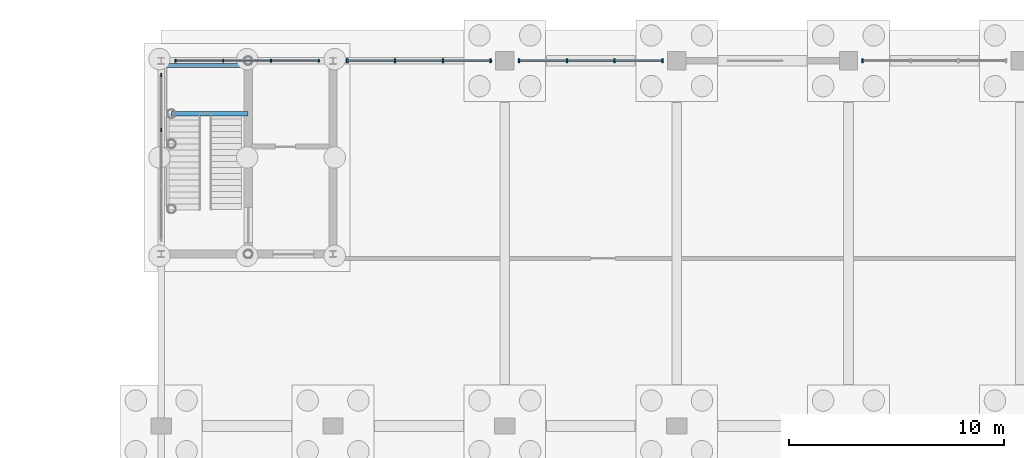
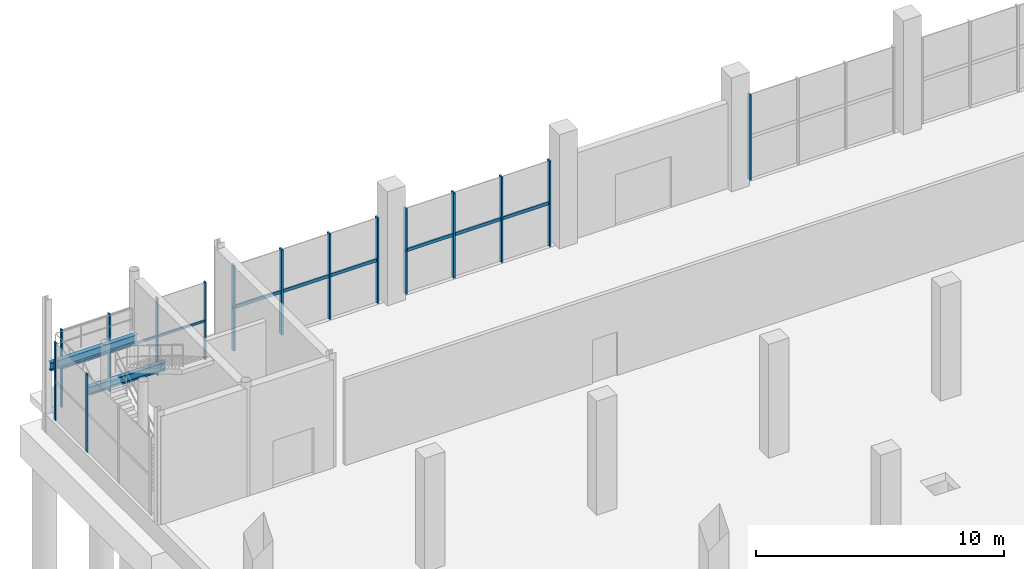
# One storey, part 58 of 98: 18 members, 2 beams, 5 elements without a shape of their own.
"""IFC4 building model written with IfcOpenShell, lengths in metres."""

from ifc_helpers import new_model, si_unit, derived_unit, direction, frame, origin, origin_2d, place, context, subcontext, project, spatial, rectangle, i_section, extrude, material, layer, layer_set, material_profile, profile_set, type_object, element, aggregate, save


model = new_model("IFC4")

# Units and contexts
model_context = context("Model", 3, precision=1e-05, world=origin(), true_north=direction((0.0, 1.0)))
body_context = subcontext(model_context, "Body", "Model", "MODEL_VIEW")
ifc_project = project(units=[si_unit("LENGTHUNIT", "METRE"), si_unit("AREAUNIT", "SQUARE_METRE"), si_unit("VOLUMEUNIT", "CUBIC_METRE"), si_unit("PLANEANGLEUNIT", "RADIAN"), si_unit("MASSUNIT", "GRAM", prefix="KILO"), si_unit("THERMODYNAMICTEMPERATUREUNIT", "KELVIN"), derived_unit("THERMALTRANSMITTANCEUNIT", [(si_unit("POWERUNIT", "WATT"), 1), (si_unit("AREAUNIT", "SQUARE_METRE"), -1), (si_unit("THERMODYNAMICTEMPERATUREUNIT", "KELVIN"), -1)])], contexts=[model_context])

# Site, building, storey
site_placement = place(None, origin())
site = spatial("IfcSite", under=ifc_project, at=site_placement, CompositionType="ELEMENT")
building_placement = place(site_placement, origin())
building = spatial("IfcBuilding", under=site, at=building_placement, Name="Haiyu Intermodal Mobility Hub", CompositionType="ELEMENT")
storey_placement = place(building_placement, origin())
storey = spatial("IfcBuildingStorey", under=building, at=storey_placement, Name="L00", CompositionType="ELEMENT", Elevation=0.0)

# Beams
ifc_material_1 = material(Name="Steel Q355C", Category="steel")
ifc_material_profile_1 = material_profile(ifc_material_1, i_section(OverallWidth=0.199951171875, OverallDepth=0.39990234375, WebThickness=0.008056640625, FlangeThickness=0.012939453125, FilletRadius=0.01611328125, at=origin_2d()), Name="HN400x200x8x13")
ifc_profile_set_1 = profile_set([ifc_material_profile_1], Name="Steel Q355C")
beam_type = type_object("IfcBeamType", Name="BM-SB08", PredefinedType="JOIST", material=ifc_profile_set_1)
beam_1_placement = place(storey_placement, frame((22.47998046875, 145.530029296875, 2.375), z_axis=(1.0, 0.0, 0.0), x_axis=(0.0, 1.0, 0.0)))
element("IfcBeam", 1, at=beam_1_placement, inside=storey, type_object=beam_type, Name="Stair Half-Landing Front Beam C3-L00", PredefinedType="JOIST", context=body_context, shape_type="SweptSolid", body=[
    extrude(i_section(OverallWidth=0.199951171875, OverallDepth=0.39990234375, WebThickness=0.008056640625, FlangeThickness=0.012939453125, FilletRadius=0.01611328125, at=origin_2d()), origin(), (0.0, 0.0, 1.0), 3.570068359375),
])
beam_2_placement = place(storey_placement, frame((22.0, 147.780029296875, 2.375), z_axis=(1.0, 0.0, 0.0), x_axis=(0.0, 1.0, 0.0)))
element("IfcBeam", 2, at=beam_2_placement, inside=storey, type_object=beam_type, Name="Stair Half-Landing Rear Beam C3-L00", PredefinedType="JOIST", context=body_context, shape_type="SweptSolid", body=[
    extrude(i_section(OverallWidth=0.199951171875, OverallDepth=0.39990234375, WebThickness=0.008056640625, FlangeThickness=0.012939453125, FilletRadius=0.01611328125, at=origin_2d()), origin(), (0.0, 0.0, 1.0), 4.050048828125),
])

# Curtain wall, members
ifc_material_2 = material(Name="Low-e laminated insulating glass", Category="glass")
ifc_layer_1 = layer(ifc_material_2, 0.219970703125)
ifc_layer_set_1 = layer_set([ifc_layer_1], Name="Low-e laminated insulating glass")
curtain_wall_type_1 = type_object("IfcCurtainWallType", Name="CW-CW01", PredefinedType="NOTDEFINED", material=ifc_layer_set_1)
curtain_wall_1_placement = place(storey_placement, origin())
curtain_wall_1 = element("IfcCurtainWall", 3, at=curtain_wall_1_placement, inside=storey, type_object=curtain_wall_type_1, Name="Curtain Wall CW-V4N-L00-038", PredefinedType="NOTDEFINED")
ifc_material_3 = material(Name="Anodised aluminium 6063-T6", Category="aluminium")
ifc_material_profile_2 = material_profile(ifc_material_3, rectangle(XDim=0.074951171875, YDim=0.199951171875, at=origin_2d()), Name="ALU75x200")
ifc_profile_set_2 = profile_set([ifc_material_profile_2], Name="Anodised aluminium 6063-T6")
member_type_1 = type_object("IfcMemberType", Name="CWM-ML01", PredefinedType="MULLION", material=ifc_profile_set_2)
member_1_placement = place(storey_placement, frame((37.340087890625, 148.0, 0.0), z_axis=(0.0, 0.0, 1.0), x_axis=(1.0, 0.0, 0.0)))
member_1 = element("IfcMember", 4, at=member_1_placement, type_object=member_type_1, Name="CW-V4N-L00-038-ML01", PredefinedType="MULLION", context=body_context, shape_type="SweptSolid", body=[
    extrude(rectangle(XDim=0.074951171875, YDim=0.199951171875, at=origin_2d()), origin(), (0.0, 0.0, 1.0), 4.199951171875),
])
member_2_placement = place(storey_placement, frame((35.113037109375, 148.0, 0.0), z_axis=(0.0, 0.0, 1.0), x_axis=(1.0, 0.0, 0.0)))
member_2 = element("IfcMember", 5, at=member_2_placement, type_object=member_type_1, Name="CW-V4N-L00-038-ML02", PredefinedType="MULLION", context=body_context, shape_type="SweptSolid", body=[
    extrude(rectangle(XDim=0.074951171875, YDim=0.199951171875, at=origin_2d()), origin(), (0.0, 0.0, 1.0), 4.199951171875),
])
member_3_placement = place(storey_placement, frame((32.886962890625, 148.0, 0.0), z_axis=(0.0, 0.0, 1.0), x_axis=(1.0, 0.0, 0.0)))
member_3 = element("IfcMember", 6, at=member_3_placement, type_object=member_type_1, Name="CW-V4N-L00-038-ML03", PredefinedType="MULLION", context=body_context, shape_type="SweptSolid", body=[
    extrude(rectangle(XDim=0.074951171875, YDim=0.199951171875, at=origin_2d()), origin(), (0.0, 0.0, 1.0), 4.199951171875),
])
member_4_placement = place(storey_placement, frame((30.659912109375, 148.0, 0.0), z_axis=(0.0, 0.0, 1.0), x_axis=(1.0, 0.0, 0.0)))
member_4 = element("IfcMember", 7, at=member_4_placement, type_object=member_type_1, Name="CW-V4N-L00-038-ML04", PredefinedType="MULLION", context=body_context, shape_type="SweptSolid", body=[
    extrude(rectangle(XDim=0.074951171875, YDim=0.199951171875, at=origin_2d()), origin(), (0.0, 0.0, 1.0), 4.199951171875),
])

curtain_wall_2_placement = place(storey_placement, origin())
curtain_wall_2 = element("IfcCurtainWall", 8, at=curtain_wall_2_placement, inside=storey, type_object=curtain_wall_type_1, Name="Curtain Wall CW-V4N-L00-039", PredefinedType="NOTDEFINED")
member_5_placement = place(storey_placement, frame((45.340087890625, 148.0, 0.0), z_axis=(0.0, 0.0, 1.0), x_axis=(1.0, 0.0, 0.0)))
member_5 = element("IfcMember", 9, at=member_5_placement, type_object=member_type_1, Name="CW-V4N-L00-039-ML01", PredefinedType="MULLION", context=body_context, shape_type="SweptSolid", body=[
    extrude(rectangle(XDim=0.074951171875, YDim=0.199951171875, at=origin_2d()), origin(), (0.0, 0.0, 1.0), 4.199951171875),
])
member_6_placement = place(storey_placement, frame((43.113037109375, 148.0, 0.0), z_axis=(0.0, 0.0, 1.0), x_axis=(1.0, 0.0, 0.0)))
member_6 = element("IfcMember", 10, at=member_6_placement, type_object=member_type_1, Name="CW-V4N-L00-039-ML02", PredefinedType="MULLION", context=body_context, shape_type="SweptSolid", body=[
    extrude(rectangle(XDim=0.074951171875, YDim=0.199951171875, at=origin_2d()), origin(), (0.0, 0.0, 1.0), 4.199951171875),
])
member_7_placement = place(storey_placement, frame((40.886962890625, 148.0, 0.0), z_axis=(0.0, 0.0, 1.0), x_axis=(1.0, 0.0, 0.0)))
member_7 = element("IfcMember", 11, at=member_7_placement, type_object=member_type_1, Name="CW-V4N-L00-039-ML03", PredefinedType="MULLION", context=body_context, shape_type="SweptSolid", body=[
    extrude(rectangle(XDim=0.074951171875, YDim=0.199951171875, at=origin_2d()), origin(), (0.0, 0.0, 1.0), 4.199951171875),
])
member_8_placement = place(storey_placement, frame((38.659912109375, 148.0, 0.0), z_axis=(0.0, 0.0, 1.0), x_axis=(1.0, 0.0, 0.0)))
member_8 = element("IfcMember", 12, at=member_8_placement, type_object=member_type_1, Name="CW-V4N-L00-039-ML04", PredefinedType="MULLION", context=body_context, shape_type="SweptSolid", body=[
    extrude(rectangle(XDim=0.074951171875, YDim=0.199951171875, at=origin_2d()), origin(), (0.0, 0.0, 1.0), 4.199951171875),
])

# Curtain wall, member
curtain_wall_3_placement = place(storey_placement, origin())
curtain_wall_3 = element("IfcCurtainWall", 13, at=curtain_wall_3_placement, inside=storey, type_object=curtain_wall_type_1, Name="Curtain Wall CW-V4N-L00-040", PredefinedType="NOTDEFINED")
member_9_placement = place(storey_placement, frame((54.659912109375, 148.0, 0.0), z_axis=(0.0, 0.0, 1.0), x_axis=(1.0, 0.0, 0.0)))
member_9 = element("IfcMember", 14, at=member_9_placement, type_object=member_type_1, Name="CW-V4N-L00-040-ML04", PredefinedType="MULLION", context=body_context, shape_type="SweptSolid", body=[
    extrude(rectangle(XDim=0.074951171875, YDim=0.199951171875, at=origin_2d()), origin(), (0.0, 0.0, 1.0), 4.199951171875),
])
aggregate(curtain_wall_3, [member_9])

# Curtain wall, members
ifc_layer_2 = layer(ifc_material_2, 0.199951171875)
ifc_layer_set_2 = layer_set([ifc_layer_2], Name="Low-e laminated insulating glass")
curtain_wall_type_2 = type_object("IfcCurtainWallType", Name="CW-CW03", PredefinedType="NOTDEFINED", material=ifc_layer_set_2)
curtain_wall_4_placement = place(storey_placement, origin())
curtain_wall_4 = element("IfcCurtainWall", 15, at=curtain_wall_4_placement, inside=storey, type_object=curtain_wall_type_2, Name="Curtain Wall CW-C3N-L00-049", PredefinedType="NOTDEFINED")
ifc_material_profile_3 = material_profile(ifc_material_3, rectangle(XDim=0.06005859375, YDim=0.14501953125, at=origin_2d()), Name="ALU60x145")
ifc_profile_set_3 = profile_set([ifc_material_profile_3], Name="Anodised aluminium 6063-T6")
member_type_2 = type_object("IfcMemberType", Name="CWM-ML03", PredefinedType="MULLION", material=ifc_profile_set_3)
member_10_placement = place(storey_placement, frame((29.340087890625, 148.0, 0.0), z_axis=(0.0, 0.0, 1.0), x_axis=(1.0, 0.0, 0.0)))
member_10 = element("IfcMember", 16, at=member_10_placement, type_object=member_type_2, Name="CW-C3N-L00-049-ML01", PredefinedType="MULLION", context=body_context, shape_type="SweptSolid", body=[
    extrude(rectangle(XDim=0.06005859375, YDim=0.14501953125, at=origin_2d()), origin(), (0.0, 0.0, 1.0), 3.820068359375),
])
member_11_placement = place(storey_placement, frame((27.113037109375, 148.0, 0.0), z_axis=(0.0, 0.0, 1.0), x_axis=(1.0, 0.0, 0.0)))
member_11 = element("IfcMember", 17, at=member_11_placement, type_object=member_type_2, Name="CW-C3N-L00-049-ML02", PredefinedType="MULLION", context=body_context, shape_type="SweptSolid", body=[
    extrude(rectangle(XDim=0.06005859375, YDim=0.14501953125, at=origin_2d()), origin(), (0.0, 0.0, 1.0), 3.820068359375),
])
member_12_placement = place(storey_placement, frame((24.886962890625, 148.0, 0.0), z_axis=(0.0, 0.0, 1.0), x_axis=(1.0, 0.0, 0.0)))
member_12 = element("IfcMember", 18, at=member_12_placement, type_object=member_type_2, Name="CW-C3N-L00-049-ML03", PredefinedType="MULLION", context=body_context, shape_type="SweptSolid", body=[
    extrude(rectangle(XDim=0.06005859375, YDim=0.14501953125, at=origin_2d()), origin(), (0.0, 0.0, 1.0), 3.820068359375),
])
member_13_placement = place(storey_placement, frame((22.659912109375, 148.0, 0.0), z_axis=(0.0, 0.0, 1.0), x_axis=(1.0, 0.0, 0.0)))
member_13 = element("IfcMember", 19, at=member_13_placement, type_object=member_type_2, Name="CW-C3N-L00-049-ML04", PredefinedType="MULLION", context=body_context, shape_type="SweptSolid", body=[
    extrude(rectangle(XDim=0.06005859375, YDim=0.14501953125, at=origin_2d()), origin(), (0.0, 0.0, 1.0), 3.820068359375),
])

curtain_wall_5_placement = place(storey_placement, origin())
curtain_wall_5 = element("IfcCurtainWall", 20, at=curtain_wall_5_placement, inside=storey, type_object=curtain_wall_type_2, Name="Curtain Wall CW-C3S-L00-050", PredefinedType="NOTDEFINED")
member_14_placement = place(storey_placement, frame((22.0, 147.340087890625, 0.0), z_axis=(0.0, 0.0, 1.0), x_axis=(1.0, 0.0, 0.0)))
member_14 = element("IfcMember", 21, at=member_14_placement, type_object=member_type_2, Name="CW-C3S-L00-050-ML01", PredefinedType="MULLION", context=body_context, shape_type="SweptSolid", body=[
    extrude(rectangle(XDim=0.06005859375, YDim=0.14501953125, at=origin_2d()), origin(), (0.0, 0.0, 1.0), 3.820068359375),
])
member_15_placement = place(storey_placement, frame((22.0, 144.780029296875, 0.0), z_axis=(0.0, 0.0, 1.0), x_axis=(1.0, 0.0, 0.0)))
member_15 = element("IfcMember", 22, at=member_15_placement, type_object=member_type_2, Name="CW-C3S-L00-050-ML02", PredefinedType="MULLION", context=body_context, shape_type="SweptSolid", body=[
    extrude(rectangle(XDim=0.06005859375, YDim=0.14501953125, at=origin_2d()), origin(), (0.0, 0.0, 1.0), 3.820068359375),
])
aggregate(curtain_wall_5, [member_14, member_15])

# Member
ifc_material_profile_4 = material_profile(ifc_material_3, rectangle(XDim=0.074951171875, YDim=0.159912109375, at=origin_2d()), Name="ALU75x160")
ifc_profile_set_4 = profile_set([ifc_material_profile_4], Name="Anodised aluminium 6063-T6")
member_type_3 = type_object("IfcMemberType", Name="CWM-TR01", PredefinedType="USERDEFINED", material=ifc_profile_set_4)
member_16_placement = place(storey_placement, frame((37.3798828125, 148.0, 2.10009765625), z_axis=(-1.0, 0.0, 0.0), x_axis=(0.0, -1.0, 0.0)))
member_16 = element("IfcMember", 23, at=member_16_placement, type_object=member_type_3, Name="CW-V4N-L00-038-TR01", ObjectType="TRANSOM", PredefinedType="USERDEFINED", context=body_context, shape_type="SweptSolid", body=[
    extrude(rectangle(XDim=0.074951171875, YDim=0.159912109375, at=origin_2d()), origin(), (0.0, 0.0, 1.0), 6.759765625),
])

aggregate(curtain_wall_1, [member_1, member_2, member_3, member_4, member_16])

member_17_placement = place(storey_placement, frame((45.3798828125, 148.0, 2.10009765625), z_axis=(-1.0, 0.0, 0.0), x_axis=(0.0, -1.0, 0.0)))
member_17 = element("IfcMember", 24, at=member_17_placement, type_object=member_type_3, Name="CW-V4N-L00-039-TR01", ObjectType="TRANSOM", PredefinedType="USERDEFINED", context=body_context, shape_type="SweptSolid", body=[
    extrude(rectangle(XDim=0.074951171875, YDim=0.159912109375, at=origin_2d()), origin(), (0.0, 0.0, 1.0), 6.759765625),
])

aggregate(curtain_wall_2, [member_5, member_6, member_7, member_8, member_17])

ifc_material_profile_5 = material_profile(ifc_material_3, rectangle(XDim=0.06005859375, YDim=0.114990234375, at=origin_2d()), Name="ALU60x115")
ifc_profile_set_5 = profile_set([ifc_material_profile_5], Name="Anodised aluminium 6063-T6")
member_type_4 = type_object("IfcMemberType", Name="CWM-TR03", PredefinedType="USERDEFINED", material=ifc_profile_set_5)
member_18_placement = place(storey_placement, frame((29.3798828125, 148.0, 1.909912109375), z_axis=(-1.0, 0.0, 0.0), x_axis=(0.0, -1.0, 0.0)))
member_18 = element("IfcMember", 25, at=member_18_placement, type_object=member_type_4, Name="CW-C3N-L00-049-TR01", ObjectType="TRANSOM", PredefinedType="USERDEFINED", context=body_context, shape_type="SweptSolid", body=[
    extrude(rectangle(XDim=0.06005859375, YDim=0.114990234375, at=origin_2d()), origin(), (0.0, 0.0, 1.0), 6.759765625),
])

aggregate(curtain_wall_4, [member_10, member_11, member_12, member_13, member_18])

save(model, "model.ifc")
